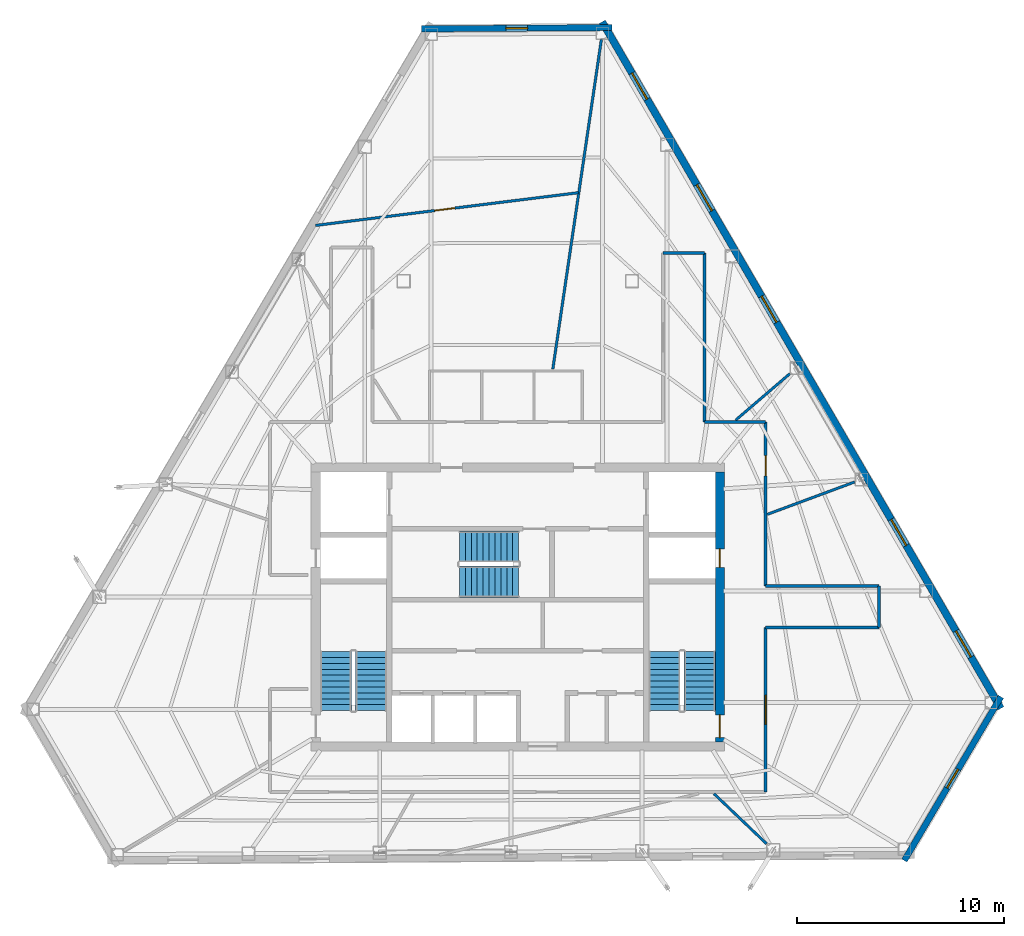
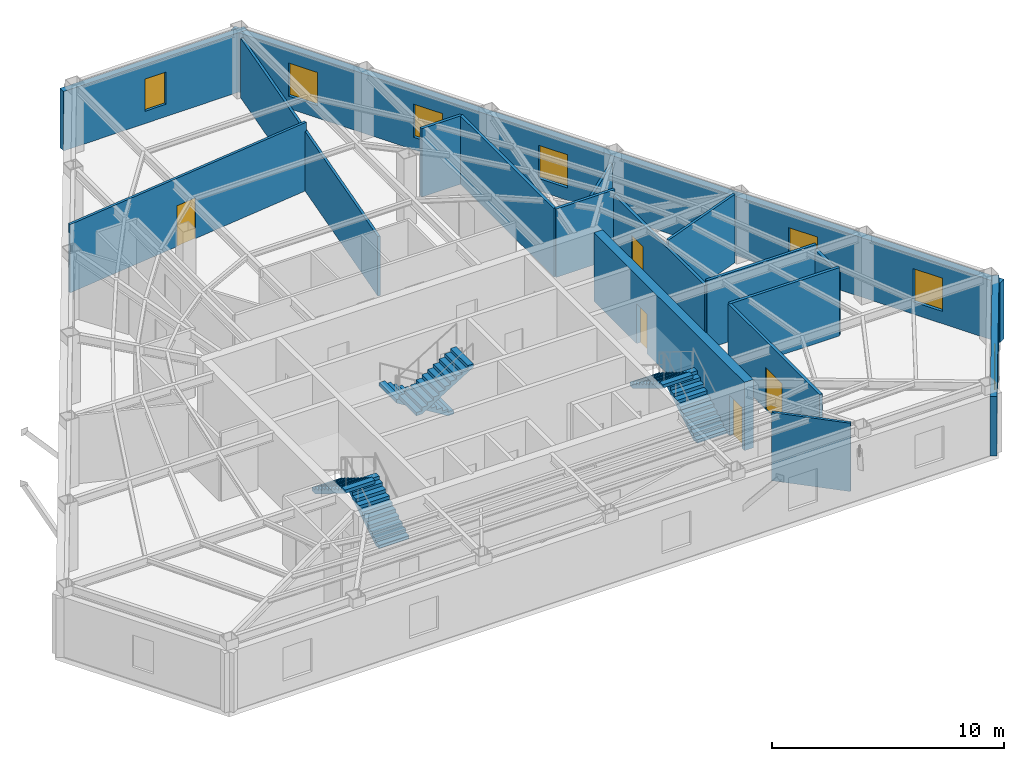
# One storey, part 9 of 10: 17 walls, 7 windows, 6 stair flights, 5 doors, 12 openings, 3 elements without a shape of their own.
"""IFC4 building model written with IfcOpenShell, lengths in metres."""

from ifc_helpers import new_model, si_unit, direction, frame, frame_2d, origin, place, context, subcontext, project, spatial, polyline, rectangle, outline, extrude, material, layer, layer_set, type_object, element, fill, aggregate, save


model = new_model("IFC4")

# Units and contexts
model_context = context("Model", 3, precision=1e-05, world=origin(), true_north=direction((0.0, 1.0)))
body_context = subcontext(model_context, "Body", "Model", "MODEL_VIEW")
ifc_project = project(units=[si_unit("LENGTHUNIT", "METRE"), si_unit("AREAUNIT", "SQUARE_METRE"), si_unit("VOLUMEUNIT", "CUBIC_METRE"), si_unit("PLANEANGLEUNIT", "RADIAN"), si_unit("MASSUNIT", "GRAM", prefix="KILO")], contexts=[model_context])

# Site, building, storey
site_placement = place(None, origin())
site = spatial("IfcSite", under=ifc_project, at=site_placement, CompositionType="ELEMENT")
building_placement = place(site_placement, origin())
building = spatial("IfcBuilding", under=site, at=building_placement, Name="Kavelnor Concourse Tower", CompositionType="ELEMENT")
storey_placement = place(building_placement, frame((0.0, 0.0, 211.199951171875)))
storey = spatial("IfcBuildingStorey", under=building, at=storey_placement, Name="L53", CompositionType="ELEMENT", Elevation=211.199951171875)

# Wall, openings, doors
ifc_material_1 = material(Name="Concrete C50/60", Category="concrete")
ifc_layer_1 = layer(ifc_material_1, 0.43994140625, Name="Concrete C50/60")
ifc_layer_set_1 = layer_set([ifc_layer_1], Name="Concrete C50/60")
wall_type_1 = type_object("IfcWallType", Name="WL-CORE-Z3-440", PredefinedType="SOLIDWALL", material=ifc_layer_set_1)
wall_1_placement = place(storey_placement, frame((47.739990234375, 9.60009765625, 0.0), z_axis=(0.0, 0.0, 1.0), x_axis=(0.0, 1.0, 0.0)))
wall_1 = element("IfcWall", 1, at=wall_1_placement, inside=storey, type_object=wall_type_1, Name="L53 Central Core East Shear Wall", PredefinedType="SOLIDWALL", context=body_context, shape_type="SweptSolid", body=[
    extrude(rectangle(XDim=13.0, YDim=0.43994140625, at=frame_2d((6.5, 0.0))), origin(), (0.0, 0.0, 1.0), 3.60009765625),
])
opening_1_placement = place(wall_1_placement, frame((0.199951171875, 0.0, 0.0)))
opening_1 = element("IfcOpeningElement", 2, at=opening_1_placement, cuts=wall_1, Name="Opening FD-110", PredefinedType="OPENING", context=body_context, shape_type="SweptSolid", body=[
    extrude(rectangle(XDim=1.10009765625, YDim=2.14990234375, at=frame_2d((0.550048828125, 1.074951171875))), frame((0.0, 0.22998046875, 0.0), z_axis=(0.0, -1.0, 0.0), x_axis=(1.0, 0.0, 0.0)), (0.0, 0.0, 1.0), 0.4599609375),
])
opening_2_placement = place(wall_1_placement, frame((8.39990234375, 0.0, 0.0)))
opening_2 = element("IfcOpeningElement", 3, at=opening_2_placement, cuts=wall_1, Name="Opening FD-090", PredefinedType="OPENING", context=body_context, shape_type="SweptSolid", body=[
    extrude(rectangle(XDim=0.89990234375, YDim=2.10009765625, at=frame_2d((0.449951171875, 1.050048828125))), frame((0.0, 0.22998046875, 0.0), z_axis=(0.0, -1.0, 0.0), x_axis=(1.0, 0.0, 0.0)), (0.0, 0.0, 1.0), 0.4599609375),
])
ifc_material_2 = material(Name="Steel Grade 350", Category="steel")
door_type_1 = type_object("IfcDoorType", Name="DR-RISER-FIRE-900", OperationType="NOTDEFINED", PredefinedType="DOOR", material=ifc_material_2)
door_1_placement = place(opening_2_placement, origin())
door_1 = element("IfcDoor", 4, at=door_1_placement, inside=storey, type_object=door_type_1, Name="L53 East Riser Access Door", OperationType="SINGLE_SWING_LEFT", OverallHeight=2.10009765625, OverallWidth=0.89990234375, PredefinedType="DOOR", context=body_context, shape_type="SweptSolid", body=[
    extrude(rectangle(XDim=0.89990234375, YDim=2.10009765625, at=frame_2d((0.449951171875, 1.050048828125))), frame((0.0, 0.02490234375, 0.0), z_axis=(0.0, -1.0, 0.0), x_axis=(1.0, 0.0, 0.0)), (0.0, 0.0, 1.0), 0.050048828125),
])
fill(opening_2, door_1)
door_type_2 = type_object("IfcDoorType", Name="DR-STAIR-FIRE-1100", OperationType="NOTDEFINED", PredefinedType="DOOR", material=ifc_material_2)
door_2_placement = place(opening_1_placement, origin())
door_2 = element("IfcDoor", 5, at=door_2_placement, inside=storey, type_object=door_type_2, Name="L53 Stair ST2 Fire Door", OperationType="SINGLE_SWING_RIGHT", OverallHeight=2.14990234375, OverallWidth=1.10009765625, PredefinedType="DOOR", context=body_context, shape_type="SweptSolid", body=[
    extrude(rectangle(XDim=1.10009765625, YDim=2.14990234375, at=frame_2d((0.550048828125, 1.074951171875))), frame((0.0, 0.02490234375, 0.0), z_axis=(0.0, -1.0, 0.0), x_axis=(1.0, 0.0, 0.0)), (0.0, 0.0, 1.0), 0.050048828125),
])
fill(opening_1, door_2)

# Wall, opening, window
ifc_material_3 = material(Name="Buff ironspot clay face brick masonry", Category="masonry")
ifc_layer_2 = layer(ifc_material_3, 0.300048828125, Name="Buff ironspot clay face brick masonry")
ifc_layer_set_2 = layer_set([ifc_layer_2], Name="Buff ironspot clay face brick masonry")
wall_type_2 = type_object("IfcWallType", Name="WL-EXT-BUFF-BRICK-FOLD-300", PredefinedType="STANDARD", material=ifc_layer_set_2)
wall_2_placement = place(storey_placement, frame((33.349609375, 43.959716796875, 0.0), z_axis=(0.0, 0.0, 1.0), x_axis=(0.99997674426, 0.006819892877, 0.0)))
wall_2 = element("IfcWall", 6, at=wall_2_placement, inside=storey, type_object=wall_type_2, Name="L53 Exterior Brick Facade Wall E0", PredefinedType="STANDARD", context=body_context, shape_type="SweptSolid", body=[
    extrude(rectangle(XDim=9.2001953125, YDim=0.300048828125, at=frame_2d((4.60009765625, 0.0))), origin(), (0.0, 0.0, 1.0), 3.132080078125),
])
opening_3_placement = place(wall_2_placement, frame((4.0751953125, 0.0, 0.64990234375)))
opening_3 = element("IfcOpeningElement", 7, at=opening_3_placement, cuts=wall_2, Name="Opening W-06", PredefinedType="OPENING", context=body_context, shape_type="SweptSolid", body=[
    extrude(rectangle(XDim=1.050048828125, YDim=1.699951171875, at=frame_2d((0.52490234375, 0.85009765625))), frame((0.0, 0.16015625, 0.0), z_axis=(0.0, -1.0, 0.0), x_axis=(1.0, 0.0, 0.0)), (0.0, 0.0, 1.0), 0.320068359375),
])
ifc_material_4 = material(Name="Double low-E argon insulated glazing", Category="glass")
window_type_1 = type_object("IfcWindowType", Name="WIN-FOLD-1050", PartitioningType="SINGLE_PANEL", PredefinedType="WINDOW", material=ifc_material_4)
window_1_placement = place(opening_3_placement, origin())
window_1 = element("IfcWindow", 8, at=window_1_placement, inside=storey, type_object=window_type_1, Name="L53 Chamfer-Fold Facet Window C0", OverallHeight=1.699951171875, OverallWidth=1.050048828125, PartitioningType="SINGLE_PANEL", PredefinedType="WINDOW", context=body_context, shape_type="SweptSolid", body=[
    extrude(rectangle(XDim=1.050048828125, YDim=1.699951171875, at=frame_2d((0.52490234375, 0.85009765625))), frame((0.0, 0.030029296875, 0.0), z_axis=(0.0, -1.0, 0.0), x_axis=(1.0, 0.0, 0.0)), (0.0, 0.0, 1.0), 0.06005859375),
])
fill(opening_3, window_1)

wall_3_placement = place(storey_placement, frame((61.283203125, 11.767578125, 0.0), z_axis=(0.0, 0.0, 1.0), x_axis=(-0.508035204802, -0.861336305215, 0.0)))
wall_3 = element("IfcWall", 9, at=wall_3_placement, inside=storey, type_object=wall_type_2, Name="L53 Exterior Brick Facade Wall E4", PredefinedType="STANDARD", context=body_context, shape_type="SweptSolid", body=[
    extrude(rectangle(XDim=9.162353515625, YDim=0.300048828125, at=frame_2d((4.5810546875, 0.0))), origin(), (0.0, 0.0, 1.0), 3.132080078125),
])
opening_4_placement = place(wall_3_placement, frame((4.05615234375, 0.0, 0.64990234375)))
opening_4 = element("IfcOpeningElement", 10, at=opening_4_placement, cuts=wall_3, Name="Opening W-06", PredefinedType="OPENING", context=body_context, shape_type="SweptSolid", body=[
    extrude(rectangle(XDim=1.050048828125, YDim=1.699951171875, at=frame_2d((0.52490234375, 0.85009765625))), frame((0.0, 0.16015625, 0.0), z_axis=(0.0, -1.0, 0.0), x_axis=(1.0, 0.0, 0.0)), (0.0, 0.0, 1.0), 0.320068359375),
])
window_2_placement = place(opening_4_placement, origin())
window_2 = element("IfcWindow", 11, at=window_2_placement, inside=storey, type_object=window_type_1, Name="L53 Chamfer-Fold Facet Window C2", OverallHeight=1.699951171875, OverallWidth=1.050048828125, PartitioningType="SINGLE_PANEL", PredefinedType="WINDOW", context=body_context, shape_type="SweptSolid", body=[
    extrude(rectangle(XDim=1.050048828125, YDim=1.699951171875, at=frame_2d((0.52490234375, 0.85009765625))), frame((0.0, 0.030029296875, 0.0), z_axis=(0.0, -1.0, 0.0), x_axis=(1.0, 0.0, 0.0)), (0.0, 0.0, 1.0), 0.06005859375),
])
fill(opening_4, window_2)

# Wall, openings, windows
ifc_material_5 = material(Name="Red-ochre clay face brick masonry", Category="masonry")
ifc_layer_3 = layer(ifc_material_5, 0.35009765625, Name="Red-ochre clay face brick masonry")
ifc_layer_set_3 = layer_set([ifc_layer_3], Name="Red-ochre clay face brick masonry")
wall_type_3 = type_object("IfcWallType", Name="WL-EXT-RED-BRICK-PIER-350", PredefinedType="STANDARD", material=ifc_layer_set_3)
wall_4_placement = place(storey_placement, frame((42.066162109375, 44.298583984375, 0.0), z_axis=(0.0, 0.0, 1.0), x_axis=(0.502188775534, -0.864758020331, 0.0)))
wall_4 = element("IfcWall", 12, at=wall_4_placement, inside=storey, type_object=wall_type_3, Name="L53 Exterior Brick Facade Wall E5", PredefinedType="STANDARD", context=body_context, shape_type="SweptSolid", body=[
    extrude(rectangle(XDim=38.26318359375, YDim=0.35009765625, at=frame_2d((19.131591796875, 0.0))), origin(), (0.0, 0.0, 1.0), 3.132080078125),
])
opening_5_placement = place(wall_4_placement, frame((33.948486328125, 0.0, 0.64990234375)))
opening_5 = element("IfcOpeningElement", 13, at=opening_5_placement, cuts=wall_4, Name="Opening W-03", PredefinedType="OPENING", context=body_context, shape_type="SweptSolid", body=[
    extrude(rectangle(XDim=1.449951171875, YDim=1.75, at=frame_2d((0.72509765625, 0.875))), frame((0.0, 0.18505859375, 0.0), z_axis=(0.0, -1.0, 0.0), x_axis=(1.0, 0.0, 0.0)), (0.0, 0.0, 1.0), 0.3701171875),
])
opening_6_placement = place(wall_4_placement, frame((27.731201171875, 0.0, 0.64990234375)))
opening_6 = element("IfcOpeningElement", 14, at=opening_6_placement, cuts=wall_4, Name="Opening W-03", PredefinedType="OPENING", context=body_context, shape_type="SweptSolid", body=[
    extrude(rectangle(XDim=1.449951171875, YDim=1.75, at=frame_2d((0.72509765625, 0.875))), frame((0.0, 0.18505859375, 0.0), z_axis=(0.0, -1.0, 0.0), x_axis=(1.0, 0.0, 0.0)), (0.0, 0.0, 1.0), 0.3701171875),
])
opening_7_placement = place(wall_4_placement, frame((15.296630859375, 0.0, 0.64990234375)))
opening_7 = element("IfcOpeningElement", 15, at=opening_7_placement, cuts=wall_4, Name="Opening W-03", PredefinedType="OPENING", context=body_context, shape_type="SweptSolid", body=[
    extrude(rectangle(XDim=1.449951171875, YDim=1.75, at=frame_2d((0.72509765625, 0.875))), frame((0.0, 0.18505859375, 0.0), z_axis=(0.0, -1.0, 0.0), x_axis=(1.0, 0.0, 0.0)), (0.0, 0.0, 1.0), 0.3701171875),
])
opening_8_placement = place(wall_4_placement, frame((9.079345703125, 0.0, 0.64990234375)))
opening_8 = element("IfcOpeningElement", 16, at=opening_8_placement, cuts=wall_4, Name="Opening W-03", PredefinedType="OPENING", context=body_context, shape_type="SweptSolid", body=[
    extrude(rectangle(XDim=1.449951171875, YDim=1.75, at=frame_2d((0.72509765625, 0.875))), frame((0.0, 0.18505859375, 0.0), z_axis=(0.0, -1.0, 0.0), x_axis=(1.0, 0.0, 0.0)), (0.0, 0.0, 1.0), 0.3701171875),
])
opening_9_placement = place(wall_4_placement, frame((2.862060546875, 0.0, 0.64990234375)))
opening_9 = element("IfcOpeningElement", 17, at=opening_9_placement, cuts=wall_4, Name="Opening W-03", PredefinedType="OPENING", context=body_context, shape_type="SweptSolid", body=[
    extrude(rectangle(XDim=1.449951171875, YDim=1.75, at=frame_2d((0.72509765625, 0.875))), frame((0.0, 0.18505859375, 0.0), z_axis=(0.0, -1.0, 0.0), x_axis=(1.0, 0.0, 0.0)), (0.0, 0.0, 1.0), 0.3701171875),
])
window_type_2 = type_object("IfcWindowType", Name="WIN-PIER-Z3-1500", PartitioningType="SINGLE_PANEL", PredefinedType="WINDOW", material=ifc_material_4)
window_3_placement = place(opening_5_placement, origin())
window_3 = element("IfcWindow", 18, at=window_3_placement, inside=storey, type_object=window_type_2, Name="L53 Deep-Set Brick Pier Window F2-B0", OverallHeight=1.75, OverallWidth=1.449951171875, PartitioningType="SINGLE_PANEL", PredefinedType="WINDOW", context=body_context, shape_type="SweptSolid", body=[
    extrude(rectangle(XDim=1.449951171875, YDim=1.75, at=frame_2d((0.72509765625, 0.875))), frame((0.0, 0.030029296875, 0.0), z_axis=(0.0, -1.0, 0.0), x_axis=(1.0, 0.0, 0.0)), (0.0, 0.0, 1.0), 0.06005859375),
])
fill(opening_5, window_3)
window_4_placement = place(opening_6_placement, origin())
window_4 = element("IfcWindow", 19, at=window_4_placement, inside=storey, type_object=window_type_2, Name="L53 Deep-Set Brick Pier Window F2-B1", OverallHeight=1.75, OverallWidth=1.449951171875, PartitioningType="SINGLE_PANEL", PredefinedType="WINDOW", context=body_context, shape_type="SweptSolid", body=[
    extrude(rectangle(XDim=1.449951171875, YDim=1.75, at=frame_2d((0.72509765625, 0.875))), frame((0.0, 0.030029296875, 0.0), z_axis=(0.0, -1.0, 0.0), x_axis=(1.0, 0.0, 0.0)), (0.0, 0.0, 1.0), 0.06005859375),
])
fill(opening_6, window_4)
window_5_placement = place(opening_7_placement, origin())
window_5 = element("IfcWindow", 20, at=window_5_placement, inside=storey, type_object=window_type_2, Name="L53 Deep-Set Brick Pier Window F2-B3", OverallHeight=1.75, OverallWidth=1.449951171875, PartitioningType="SINGLE_PANEL", PredefinedType="WINDOW", context=body_context, shape_type="SweptSolid", body=[
    extrude(rectangle(XDim=1.449951171875, YDim=1.75, at=frame_2d((0.72509765625, 0.875))), frame((0.0, 0.030029296875, 0.0), z_axis=(0.0, -1.0, 0.0), x_axis=(1.0, 0.0, 0.0)), (0.0, 0.0, 1.0), 0.06005859375),
])
fill(opening_7, window_5)
window_6_placement = place(opening_8_placement, origin())
window_6 = element("IfcWindow", 21, at=window_6_placement, inside=storey, type_object=window_type_2, Name="L53 Deep-Set Brick Pier Window F2-B4", OverallHeight=1.75, OverallWidth=1.449951171875, PartitioningType="SINGLE_PANEL", PredefinedType="WINDOW", context=body_context, shape_type="SweptSolid", body=[
    extrude(rectangle(XDim=1.449951171875, YDim=1.75, at=frame_2d((0.72509765625, 0.875))), frame((0.0, 0.030029296875, 0.0), z_axis=(0.0, -1.0, 0.0), x_axis=(1.0, 0.0, 0.0)), (0.0, 0.0, 1.0), 0.06005859375),
])
fill(opening_8, window_6)
window_7_placement = place(opening_9_placement, origin())
window_7 = element("IfcWindow", 22, at=window_7_placement, inside=storey, type_object=window_type_2, Name="L53 Deep-Set Brick Pier Window F2-B5", OverallHeight=1.75, OverallWidth=1.449951171875, PartitioningType="SINGLE_PANEL", PredefinedType="WINDOW", context=body_context, shape_type="SweptSolid", body=[
    extrude(rectangle(XDim=1.449951171875, YDim=1.75, at=frame_2d((0.72509765625, 0.875))), frame((0.0, 0.030029296875, 0.0), z_axis=(0.0, -1.0, 0.0), x_axis=(1.0, 0.0, 0.0)), (0.0, 0.0, 1.0), 0.06005859375),
])
fill(opening_9, window_7)

# Walls
ifc_material_6 = material(Name="Gypsum plasterboard on light-gauge steel studs", Category="steel")
ifc_layer_4 = layer(ifc_material_6, 0.14501953125, Name="Gypsum plasterboard on light-gauge steel studs")
ifc_layer_set_4 = layer_set([ifc_layer_4], Name="Gypsum plasterboard on light-gauge steel studs")
wall_type_4 = type_object("IfcWallType", Name="WL-INT-CORR-145", PredefinedType="PARTITIONING", material=ifc_layer_set_4)
wall_5_placement = place(storey_placement, frame((45.0, 33.153076171875, 0.0), z_axis=(0.0, 0.0, 1.0), x_axis=(1.0, 0.0, 0.0)))
element("IfcWall", 23, at=wall_5_placement, inside=storey, type_object=wall_type_4, Name="L53 Corridor Wall WL-L53-CR-09", PredefinedType="PARTITIONING", context=body_context, shape_type="SweptSolid", body=[
    extrude(rectangle(XDim=2.0, YDim=0.14501953125, at=frame_2d((1.0, 0.0))), origin(), (0.0, 0.0, 1.0), 3.60009765625),
])
wall_6_placement = place(storey_placement, frame((47.0, 33.153076171875, 0.0), z_axis=(0.0, 0.0, 1.0), x_axis=(0.0, -1.0, 0.0)))
element("IfcWall", 24, at=wall_6_placement, inside=storey, type_object=wall_type_4, Name="L53 Corridor Wall WL-L53-CR-10", PredefinedType="PARTITIONING", context=body_context, shape_type="SweptSolid", body=[
    extrude(rectangle(XDim=8.133056640625, YDim=0.14501953125, at=frame_2d((4.06640625, 0.0))), origin(), (0.0, 0.0, 1.0), 3.60009765625),
])
wall_7_placement = place(storey_placement, frame((47.0, 25.02001953125, 0.0), z_axis=(0.0, 0.0, 1.0), x_axis=(1.0, 0.0, 0.0)))
element("IfcWall", 25, at=wall_7_placement, inside=storey, type_object=wall_type_4, Name="L53 Corridor Wall WL-L53-CR-11", PredefinedType="PARTITIONING", context=body_context, shape_type="SweptSolid", body=[
    extrude(rectangle(XDim=2.93994140625, YDim=0.14501953125, at=frame_2d((1.469970703125, 0.0))), origin(), (0.0, 0.0, 1.0), 3.60009765625),
])

# Wall, opening, door
wall_8_placement = place(storey_placement, frame((49.93994140625, 25.02001953125, 0.0), z_axis=(0.0, 0.0, 1.0), x_axis=(0.0, -1.0, 0.0)))
wall_8 = element("IfcWall", 26, at=wall_8_placement, inside=storey, type_object=wall_type_4, Name="L53 Corridor Wall WL-L53-CR-12", PredefinedType="PARTITIONING", context=body_context, shape_type="SweptSolid", body=[
    extrude(rectangle(XDim=7.919921875, YDim=0.14501953125, at=frame_2d((3.9599609375, 0.0))), origin(), (0.0, 0.0, 1.0), 3.339111328125),
])
opening_10_placement = place(wall_8_placement, frame((1.626220703125, 0.0, 0.0)))
opening_10 = element("IfcOpeningElement", 27, at=opening_10_placement, cuts=wall_8, Name="Opening OD-098", PredefinedType="OPENING", context=body_context, shape_type="SweptSolid", body=[
    extrude(rectangle(XDim=0.97998046875, YDim=2.14990234375, at=frame_2d((0.489990234375, 1.074951171875))), frame((0.0, 0.08251953125, 0.0), z_axis=(0.0, -1.0, 0.0), x_axis=(1.0, 0.0, 0.0)), (0.0, 0.0, 1.0), 0.1650390625),
])
ifc_material_7 = material(Name="Solid-core hardwood timber", Category="wood")
door_type_3 = type_object("IfcDoorType", Name="DR-OFFICE-980", OperationType="NOTDEFINED", PredefinedType="DOOR", material=ifc_material_7)
door_3_placement = place(opening_10_placement, origin())
door_3 = element("IfcDoor", 28, at=door_3_placement, inside=storey, type_object=door_type_3, Name="L53 Building Staff Breakroom 01 Door", OperationType="SINGLE_SWING_LEFT", OverallHeight=2.14990234375, OverallWidth=0.97998046875, PredefinedType="DOOR", context=body_context, shape_type="SweptSolid", body=[
    extrude(rectangle(XDim=0.97998046875, YDim=2.14990234375, at=frame_2d((0.489990234375, 1.074951171875))), frame((0.0, 0.02490234375, 0.0), z_axis=(0.0, -1.0, 0.0), x_axis=(1.0, 0.0, 0.0)), (0.0, 0.0, 1.0), 0.050048828125),
])
fill(opening_10, door_3)

# Walls
wall_9_placement = place(storey_placement, frame((49.93994140625, 17.10009765625, 0.0), z_axis=(0.0, 0.0, 1.0), x_axis=(1.0, 0.0, 0.0)))
element("IfcWall", 29, at=wall_9_placement, inside=storey, type_object=wall_type_4, Name="L53 Corridor Wall WL-L53-CR-13", PredefinedType="PARTITIONING", context=body_context, shape_type="SweptSolid", body=[
    extrude(rectangle(XDim=5.4599609375, YDim=0.14501953125, at=frame_2d((2.72998046875, 0.0))), origin(), (0.0, 0.0, 1.0), 3.60009765625),
])
wall_10_placement = place(storey_placement, frame((55.39990234375, 17.10009765625, 0.0), z_axis=(0.0, 0.0, 1.0), x_axis=(0.0, -1.0, 0.0)))
element("IfcWall", 30, at=wall_10_placement, inside=storey, type_object=wall_type_4, Name="L53 Corridor Wall WL-L53-CR-14", PredefinedType="PARTITIONING", context=body_context, shape_type="SweptSolid", body=[
    extrude(rectangle(XDim=2.0, YDim=0.14501953125, at=frame_2d((1.0, 0.0))), origin(), (0.0, 0.0, 1.0), 3.339111328125),
])
wall_11_placement = place(storey_placement, frame((55.39990234375, 15.10009765625, 0.0), z_axis=(0.0, 0.0, 1.0), x_axis=(-1.0, 0.0, 0.0)))
element("IfcWall", 31, at=wall_11_placement, inside=storey, type_object=wall_type_4, Name="L53 Corridor Wall WL-L53-CR-15", PredefinedType="PARTITIONING", context=body_context, shape_type="SweptSolid", body=[
    extrude(rectangle(XDim=5.4599609375, YDim=0.14501953125, at=frame_2d((2.72998046875, 0.0))), origin(), (0.0, 0.0, 1.0), 3.60009765625),
])

# Wall, opening, door
wall_12_placement = place(storey_placement, frame((49.93994140625, 15.10009765625, 0.0), z_axis=(0.0, 0.0, 1.0), x_axis=(0.0, -1.0, 0.0)))
wall_12 = element("IfcWall", 32, at=wall_12_placement, inside=storey, type_object=wall_type_4, Name="L53 Corridor Wall WL-L53-CR-16", PredefinedType="PARTITIONING", context=body_context, shape_type="SweptSolid", body=[
    extrude(rectangle(XDim=7.920166015625, YDim=0.14501953125, at=frame_2d((3.9599609375, 0.0))), origin(), (0.0, 0.0, 1.0), 3.60009765625),
])
opening_11_placement = place(wall_12_placement, frame((3.260009765625, 0.0, 0.0)))
opening_11 = element("IfcOpeningElement", 33, at=opening_11_placement, cuts=wall_12, Name="Opening SD-140", PredefinedType="OPENING", context=body_context, shape_type="SweptSolid", body=[
    extrude(rectangle(XDim=1.39990234375, YDim=2.199951171875, at=frame_2d((0.699951171875, 1.10009765625))), frame((0.0, 0.08251953125, 0.0), z_axis=(0.0, -1.0, 0.0), x_axis=(1.0, 0.0, 0.0)), (0.0, 0.0, 1.0), 0.1650390625),
])
door_type_4 = type_object("IfcDoorType", Name="DR-SUITE-ENTRY-1400", OperationType="NOTDEFINED", PredefinedType="DOOR", material=ifc_material_7)
door_4_placement = place(opening_11_placement, origin())
door_4 = element("IfcDoor", 34, at=door_4_placement, inside=storey, type_object=door_type_4, Name="L53 Building Staff Breakroom 10 Door", OperationType="SINGLE_SWING_RIGHT", OverallHeight=2.199951171875, OverallWidth=1.39990234375, PredefinedType="DOOR", context=body_context, shape_type="SweptSolid", body=[
    extrude(rectangle(XDim=1.39990234375, YDim=2.199951171875, at=frame_2d((0.699951171875, 1.10009765625))), frame((0.0, 0.02490234375, 0.0), z_axis=(0.0, -1.0, 0.0), x_axis=(1.0, 0.0, 0.0)), (0.0, 0.0, 1.0), 0.050048828125),
])
fill(opening_11, door_4)

# Walls
ifc_layer_5 = layer(ifc_material_6, 0.125, Name="Gypsum plasterboard on light-gauge steel studs")
ifc_layer_set_5 = layer_set([ifc_layer_5], Name="Gypsum plasterboard on light-gauge steel studs")
wall_type_5 = type_object("IfcWallType", Name="WL-INT-SUITE-125", PredefinedType="PARTITIONING", material=ifc_layer_set_5)
wall_13_placement = place(storey_placement, frame((50.0205078125, 20.558837890625, 0.0), z_axis=(0.0, 0.0, 1.0), x_axis=(0.937586789971, 0.347751364156, 0.0)))
element("IfcWall", 35, at=wall_13_placement, inside=storey, type_object=wall_type_5, Name="L53 Radial Suite Partition 01", PredefinedType="PARTITIONING", context=body_context, shape_type="SweptSolid", body=[
    extrude(rectangle(XDim=4.493896484375, YDim=0.125, at=frame_2d((2.2470703125, 0.0))), origin(), (0.0, 0.0, 1.0), 3.60009765625),
])
wall_14_placement = place(storey_placement, frame((48.50048828125, 25.1005859375, 0.0), z_axis=(0.0, 0.0, 1.0), x_axis=(0.759291677872, 0.650750449799, 0.0)))
element("IfcWall", 36, at=wall_14_placement, inside=storey, type_object=wall_type_5, Name="L53 Radial Suite Partition 02", PredefinedType="PARTITIONING", context=body_context, shape_type="SweptSolid", body=[
    extrude(rectangle(XDim=3.439208984375, YDim=0.125, at=frame_2d((1.7197265625, 0.0))), origin(), (0.0, 0.0, 1.0), 3.14111328125),
])
wall_15_placement = place(storey_placement, frame((39.689697265625, 27.570068359375, 0.0), z_axis=(0.0, 0.0, 1.0), x_axis=(0.145732327781, 0.989324056434, 0.0)))
element("IfcWall", 37, at=wall_15_placement, inside=storey, type_object=wall_type_5, Name="L53 Radial Suite Partition 03", PredefinedType="PARTITIONING", context=body_context, shape_type="SweptSolid", body=[
    extrude(rectangle(XDim=16.04248046875, YDim=0.125, at=frame_2d((8.021240234375, 0.0))), origin(), (0.0, 0.0, 1.0), 3.14111328125),
])
wall_16_placement = place(storey_placement, frame((47.453369140625, 7.099609375, 0.0), z_axis=(0.0, 0.0, 1.0), x_axis=(0.724245859296, -0.68954182998, 0.0)))
element("IfcWall", 38, at=wall_16_placement, inside=storey, type_object=wall_type_5, Name="L53 Radial Suite Partition 08", PredefinedType="PARTITIONING", context=body_context, shape_type="SweptSolid", body=[
    extrude(rectangle(XDim=3.496337890625, YDim=0.125, at=frame_2d((1.748046875, 0.0))), origin(), (0.0, 0.0, 1.0), 3.60009765625),
])

# Wall, opening, door
wall_17_placement = place(storey_placement, frame((40.92578125, 36.064453125, 0.0), z_axis=(0.0, 0.0, 1.0), x_axis=(-0.992323981917, -0.123665334316, 0.0)))
wall_17 = element("IfcWall", 39, at=wall_17_placement, inside=storey, type_object=wall_type_5, Name="L53 Suite Subdivision Partition 03", PredefinedType="PARTITIONING", context=body_context, shape_type="SweptSolid", body=[
    extrude(rectangle(XDim=12.771240234375, YDim=0.125, at=frame_2d((6.3857421875, 0.0))), origin(), (0.0, 0.0, 1.0), 3.60009765625),
])
opening_12_placement = place(wall_17_placement, frame((6.003173828125, 0.0, 0.0)))
opening_12 = element("IfcOpeningElement", 40, at=opening_12_placement, cuts=wall_17, Name="Opening OD-098", PredefinedType="OPENING", context=body_context, shape_type="SweptSolid", body=[
    extrude(rectangle(XDim=0.97998046875, YDim=2.14990234375, at=frame_2d((0.489990234375, 1.074951171875))), frame((0.0, 0.072509765625, 0.0), z_axis=(0.0, -1.0, 0.0), x_axis=(1.0, 0.0, 0.0)), (0.0, 0.0, 1.0), 0.14501953125),
])
door_5_placement = place(opening_12_placement, origin())
door_5 = element("IfcDoor", 41, at=door_5_placement, inside=storey, type_object=door_type_3, Name="L53 Building Staff Breakroom 04 Door", OperationType="SINGLE_SWING_RIGHT", OverallHeight=2.14990234375, OverallWidth=0.97998046875, PredefinedType="DOOR", context=body_context, shape_type="SweptSolid", body=[
    extrude(rectangle(XDim=0.97998046875, YDim=2.14990234375, at=frame_2d((0.489990234375, 1.074951171875))), frame((0.0, 0.02490234375, 0.0), z_axis=(0.0, -1.0, 0.0), x_axis=(1.0, 0.0, 0.0)), (0.0, 0.0, 1.0), 0.050048828125),
])
fill(opening_12, door_5)

# Stair, stair flights
ifc_material_8 = material(Name="Concrete C40/50", Category="concrete")
stair_type = type_object("IfcStairType", Name="STR-CORE-1500", PredefinedType="HALF_TURN_STAIR", material=ifc_material_8)
stair_1_placement = place(storey_placement, origin())
stair_1 = element("IfcStair", 42, at=stair_1_placement, inside=storey, type_object=stair_type, Name="L53 ST1", PredefinedType="HALF_TURN_STAIR")
stair_flight_type = type_object("IfcStairFlightType", Name="STR-FLIGHT-1500", PredefinedType="STRAIGHT", material=ifc_material_8)
stair_flight_1_placement = place(storey_placement, frame((30.929931640625, 11.10009765625, 0.0), z_axis=(0.0, 0.0, 1.0), x_axis=(0.0, 1.0, 0.0)))
stair_flight_1 = element("IfcStairFlight", 43, at=stair_flight_1_placement, type_object=stair_flight_type, Name="ST1 flight 1", NumberOfRisers=11, NumberOfTreads=10, PredefinedType="STRAIGHT", RiserHeight=0.175, TreadLength=0.285, context=body_context, shape_type="SweptSolid", body=[
    extrude(outline(polyline([(0.0, 0.0), (0.0, 0.175048828125), (0.284912109375, 0.175048828125), (0.284912109375, 0.35009765625), (0.570068359375, 0.35009765625), (0.570068359375, 0.52490234375), (0.85498046875, 0.52490234375), (0.85498046875, 0.699951171875), (1.139892578125, 0.699951171875), (1.139892578125, 0.875), (1.425048828125, 0.875), (1.425048828125, 1.050048828125), (1.7099609375, 1.050048828125), (1.7099609375, 1.22509765625), (1.9951171875, 1.22509765625), (1.9951171875, 1.39990234375), (2.280029296875, 1.39990234375), (2.280029296875, 1.574951171875), (2.56494140625, 1.574951171875), (2.56494140625, 1.75), (2.85009765625, 1.75), (2.85009765625, 1.925048828125), (2.85009765625, 1.573974609375), (0.286376953125, 0.0), (0.0, 0.0)])), frame((0.0, 0.75, 0.0), z_axis=(0.0, -1.0, 0.0), x_axis=(1.0, 0.0, 0.0)), (0.0, 0.0, 1.0), 1.5),
])
stair_flight_2_placement = place(storey_placement, frame((29.22998046875, 13.949951171875, 1.925048828125), z_axis=(0.0, 0.0, 1.0), x_axis=(0.0, -1.0, 0.0)))
stair_flight_2 = element("IfcStairFlight", 44, at=stair_flight_2_placement, type_object=stair_flight_type, Name="ST1 flight 2", NumberOfRisers=11, NumberOfTreads=10, PredefinedType="STRAIGHT", RiserHeight=0.175, TreadLength=0.285, context=body_context, shape_type="SweptSolid", body=[
    extrude(outline(polyline([(0.0, 0.0), (0.0, 0.175048828125), (0.284912109375, 0.175048828125), (0.284912109375, 0.35009765625), (0.570068359375, 0.35009765625), (0.570068359375, 0.52490234375), (0.85498046875, 0.52490234375), (0.85498046875, 0.699951171875), (1.139892578125, 0.699951171875), (1.139892578125, 0.875), (1.425048828125, 0.875), (1.425048828125, 1.050048828125), (1.7099609375, 1.050048828125), (1.7099609375, 1.22509765625), (1.9951171875, 1.22509765625), (1.9951171875, 1.39990234375), (2.280029296875, 1.39990234375), (2.280029296875, 1.574951171875), (2.56494140625, 1.574951171875), (2.56494140625, 1.75), (2.85009765625, 1.75), (2.85009765625, 1.925048828125), (2.85009765625, 1.573974609375), (0.286376953125, 0.0), (0.0, 0.0)])), frame((0.0, 0.75, 0.0), z_axis=(0.0, -1.0, 0.0), x_axis=(1.0, 0.0, 0.0)), (0.0, 0.0, 1.0), 1.5),
])
aggregate(stair_1, [stair_flight_1, stair_flight_2])

stair_2_placement = place(storey_placement, origin())
stair_2 = element("IfcStair", 45, at=stair_2_placement, inside=storey, type_object=stair_type, Name="L53 ST2", PredefinedType="HALF_TURN_STAIR")
stair_flight_3_placement = place(storey_placement, frame((46.77001953125, 11.10009765625, 0.0), z_axis=(0.0, 0.0, 1.0), x_axis=(0.0, 1.0, 0.0)))
stair_flight_3 = element("IfcStairFlight", 46, at=stair_flight_3_placement, type_object=stair_flight_type, Name="ST2 flight 1", NumberOfRisers=11, NumberOfTreads=10, PredefinedType="STRAIGHT", RiserHeight=0.175, TreadLength=0.285, context=body_context, shape_type="SweptSolid", body=[
    extrude(outline(polyline([(0.0, 0.0), (0.0, 0.175048828125), (0.284912109375, 0.175048828125), (0.284912109375, 0.35009765625), (0.570068359375, 0.35009765625), (0.570068359375, 0.52490234375), (0.85498046875, 0.52490234375), (0.85498046875, 0.699951171875), (1.139892578125, 0.699951171875), (1.139892578125, 0.875), (1.425048828125, 0.875), (1.425048828125, 1.050048828125), (1.7099609375, 1.050048828125), (1.7099609375, 1.22509765625), (1.9951171875, 1.22509765625), (1.9951171875, 1.39990234375), (2.280029296875, 1.39990234375), (2.280029296875, 1.574951171875), (2.56494140625, 1.574951171875), (2.56494140625, 1.75), (2.85009765625, 1.75), (2.85009765625, 1.925048828125), (2.85009765625, 1.573974609375), (0.286376953125, 0.0), (0.0, 0.0)])), frame((0.0, 0.75, 0.0), z_axis=(0.0, -1.0, 0.0), x_axis=(1.0, 0.0, 0.0)), (0.0, 0.0, 1.0), 1.5),
])
stair_flight_4_placement = place(storey_placement, frame((45.070068359375, 13.949951171875, 1.925048828125), z_axis=(0.0, 0.0, 1.0), x_axis=(0.0, -1.0, 0.0)))
stair_flight_4 = element("IfcStairFlight", 47, at=stair_flight_4_placement, type_object=stair_flight_type, Name="ST2 flight 2", NumberOfRisers=11, NumberOfTreads=10, PredefinedType="STRAIGHT", RiserHeight=0.175, TreadLength=0.285, context=body_context, shape_type="SweptSolid", body=[
    extrude(outline(polyline([(0.0, 0.0), (0.0, 0.175048828125), (0.284912109375, 0.175048828125), (0.284912109375, 0.35009765625), (0.570068359375, 0.35009765625), (0.570068359375, 0.52490234375), (0.85498046875, 0.52490234375), (0.85498046875, 0.699951171875), (1.139892578125, 0.699951171875), (1.139892578125, 0.875), (1.425048828125, 0.875), (1.425048828125, 1.050048828125), (1.7099609375, 1.050048828125), (1.7099609375, 1.22509765625), (1.9951171875, 1.22509765625), (1.9951171875, 1.39990234375), (2.280029296875, 1.39990234375), (2.280029296875, 1.574951171875), (2.56494140625, 1.574951171875), (2.56494140625, 1.75), (2.85009765625, 1.75), (2.85009765625, 1.925048828125), (2.85009765625, 1.573974609375), (0.286376953125, 0.0), (0.0, 0.0)])), frame((0.0, 0.75, 0.0), z_axis=(0.0, -1.0, 0.0), x_axis=(1.0, 0.0, 0.0)), (0.0, 0.0, 1.0), 1.5),
])
aggregate(stair_2, [stair_flight_3, stair_flight_4])

stair_3_placement = place(storey_placement, origin())
stair_3 = element("IfcStair", 48, at=stair_3_placement, inside=storey, type_object=stair_type, Name="L53 ST3", PredefinedType="HALF_TURN_STAIR")
stair_flight_5_placement = place(storey_placement, frame((38.0400390625, 19.010009765625, 0.0), z_axis=(0.0, 0.0, 1.0), x_axis=(-1.0, 0.0, 0.0)))
stair_flight_5 = element("IfcStairFlight", 49, at=stair_flight_5_placement, type_object=stair_flight_type, Name="ST3 flight 1", NumberOfRisers=11, NumberOfTreads=10, PredefinedType="STRAIGHT", RiserHeight=0.175, TreadLength=0.285, context=body_context, shape_type="SweptSolid", body=[
    extrude(outline(polyline([(0.0, 0.0), (0.0, 0.175048828125), (0.284912109375, 0.175048828125), (0.284912109375, 0.35009765625), (0.570068359375, 0.35009765625), (0.570068359375, 0.52490234375), (0.85498046875, 0.52490234375), (0.85498046875, 0.699951171875), (1.139892578125, 0.699951171875), (1.139892578125, 0.875), (1.425048828125, 0.875), (1.425048828125, 1.050048828125), (1.7099609375, 1.050048828125), (1.7099609375, 1.22509765625), (1.9951171875, 1.22509765625), (1.9951171875, 1.39990234375), (2.280029296875, 1.39990234375), (2.280029296875, 1.574951171875), (2.56494140625, 1.574951171875), (2.56494140625, 1.75), (2.85009765625, 1.75), (2.85009765625, 1.925048828125), (2.85009765625, 1.573974609375), (0.286376953125, 0.0), (0.0, 0.0)])), frame((0.0, 0.75, 0.0), z_axis=(0.0, -1.0, 0.0), x_axis=(1.0, 0.0, 0.0)), (0.0, 0.0, 1.0), 1.5),
])
stair_flight_6_placement = place(storey_placement, frame((35.18994140625, 17.31005859375, 1.925048828125), z_axis=(0.0, 0.0, 1.0), x_axis=(1.0, 0.0, 0.0)))
stair_flight_6 = element("IfcStairFlight", 50, at=stair_flight_6_placement, type_object=stair_flight_type, Name="ST3 flight 2", NumberOfRisers=11, NumberOfTreads=10, PredefinedType="STRAIGHT", RiserHeight=0.175, TreadLength=0.285, context=body_context, shape_type="SweptSolid", body=[
    extrude(outline(polyline([(0.0, 0.0), (0.0, 0.175048828125), (0.284912109375, 0.175048828125), (0.284912109375, 0.35009765625), (0.570068359375, 0.35009765625), (0.570068359375, 0.52490234375), (0.85498046875, 0.52490234375), (0.85498046875, 0.699951171875), (1.139892578125, 0.699951171875), (1.139892578125, 0.875), (1.425048828125, 0.875), (1.425048828125, 1.050048828125), (1.7099609375, 1.050048828125), (1.7099609375, 1.22509765625), (1.9951171875, 1.22509765625), (1.9951171875, 1.39990234375), (2.280029296875, 1.39990234375), (2.280029296875, 1.574951171875), (2.56494140625, 1.574951171875), (2.56494140625, 1.75), (2.85009765625, 1.75), (2.85009765625, 1.925048828125), (2.85009765625, 1.573974609375), (0.286376953125, 0.0), (0.0, 0.0)])), frame((0.0, 0.75, 0.0), z_axis=(0.0, -1.0, 0.0), x_axis=(1.0, 0.0, 0.0)), (0.0, 0.0, 1.0), 1.5),
])
aggregate(stair_3, [stair_flight_5, stair_flight_6])

save(model, "model.ifc")
